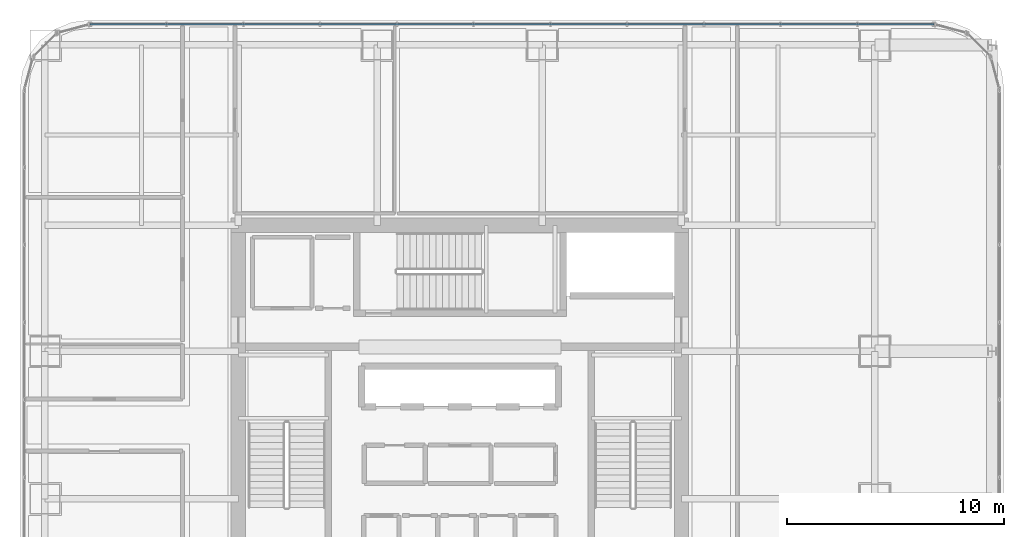
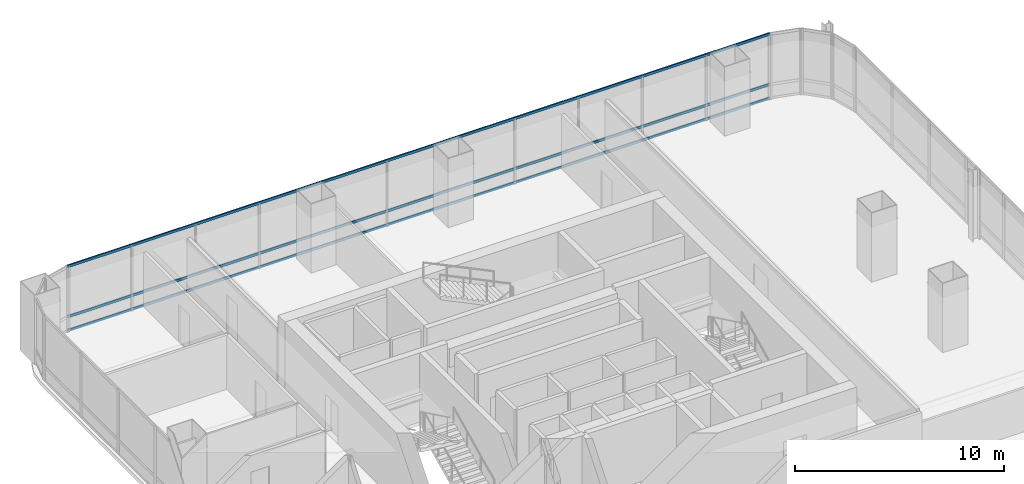
# One storey, part 23 of 36: 3 members, 1 element without a shape of its own.
"""IFC4 building model written with IfcOpenShell, lengths in metres."""

from ifc_helpers import new_model, si_unit, direction, frame, origin, origin_2d, place, context, subcontext, project, spatial, hollow_rectangle, extrude, material, material_profile, profile_set, type_object, element, aggregate, save


model = new_model("IFC4")

# Units and contexts
model_context = context("Model", 3, precision=1e-05, world=origin(), true_north=direction((0.0, 1.0)))
body_context = subcontext(model_context, "Body", "Model", "MODEL_VIEW")
ifc_project = project(units=[si_unit("LENGTHUNIT", "METRE"), si_unit("AREAUNIT", "SQUARE_METRE"), si_unit("VOLUMEUNIT", "CUBIC_METRE"), si_unit("PLANEANGLEUNIT", "RADIAN"), si_unit("MASSUNIT", "GRAM", prefix="KILO")], contexts=[model_context])

# Site, building, storey
site_placement = place(None, origin())
site = spatial("IfcSite", under=ifc_project, at=site_placement, CompositionType="ELEMENT")
building_placement = place(site_placement, origin())
building = spatial("IfcBuilding", under=site, at=building_placement, Name="Punatoya Terracotta Tower", CompositionType="ELEMENT")
storey_placement = place(building_placement, frame((0.0, 0.0, 212.699951171875)))
storey = spatial("IfcBuildingStorey", under=building, at=storey_placement, Name="L50", CompositionType="ELEMENT", Elevation=212.699951171875)

# Curtain wall, members
ifc_material_1 = material(Name="Aluminium 6063-T6 + Double Low-E Glass", Category="aluminium")
curtain_wall_type = type_object("IfcCurtainWallType", Name="CW-M2", PredefinedType="NOTDEFINED", material=ifc_material_1)
curtain_wall_placement = place(storey_placement, origin())
curtain_wall = element("IfcCurtainWall", 1, at=curtain_wall_placement, inside=storey, type_object=curtain_wall_type, Name="L50 Curtain Wall CW-L50-N09-1", PredefinedType="NOTDEFINED")
ifc_material_2 = material(Name="Aluminium 6063-T6", Category="aluminium")
ifc_material_profile = material_profile(ifc_material_2, hollow_rectangle(XDim=0.068115234375, YDim=0.14990234375, WallThickness=0.00390625, at=origin_2d()))
ifc_profile_set = profile_set([ifc_material_profile], Name="Aluminium 6063-T6")
member_type = type_object("IfcMemberType", Name="CW-TRN-TYP", PredefinedType="USERDEFINED", material=ifc_profile_set)
member_1_placement = place(storey_placement, frame((21.8369140625, 18.449951171875, 0.0400390625), z_axis=(-1.0, 0.0, 0.0), x_axis=(0.0, -1.0, 0.0)))
member_1 = element("IfcMember", 2, at=member_1_placement, type_object=member_type, Name="CW-L50-N09-1 Transom 1", ObjectType="TRANSOM", PredefinedType="USERDEFINED", context=body_context, shape_type="SweptSolid", body=[
    extrude(hollow_rectangle(XDim=0.068115234375, YDim=0.14990234375, WallThickness=0.00390625, at=origin_2d()), origin(), (0.0, 0.0, 1.0), 38.873779296875),
])
member_2_placement = place(storey_placement, frame((21.8369140625, 18.449951171875, 0.85009765625), z_axis=(-1.0, 0.0, 0.0), x_axis=(0.0, -1.0, 0.0)))
member_2 = element("IfcMember", 3, at=member_2_placement, type_object=member_type, Name="CW-L50-N09-1 Transom 2", ObjectType="TRANSOM", PredefinedType="USERDEFINED", context=body_context, shape_type="SweptSolid", body=[
    extrude(hollow_rectangle(XDim=0.068115234375, YDim=0.14990234375, WallThickness=0.00390625, at=origin_2d()), origin(), (0.0, 0.0, 1.0), 38.873779296875),
])
member_3_placement = place(storey_placement, frame((21.8369140625, 18.449951171875, 3.7900390625), z_axis=(-1.0, 0.0, 0.0), x_axis=(0.0, -1.0, 0.0)))
member_3 = element("IfcMember", 4, at=member_3_placement, type_object=member_type, Name="CW-L50-N09-1 Transom 3", ObjectType="TRANSOM", PredefinedType="USERDEFINED", context=body_context, shape_type="SweptSolid", body=[
    extrude(hollow_rectangle(XDim=0.068115234375, YDim=0.14990234375, WallThickness=0.00390625, at=origin_2d()), origin(), (0.0, 0.0, 1.0), 38.873779296875),
])
aggregate(curtain_wall, [member_1, member_2, member_3])

save(model, "model.ifc")
